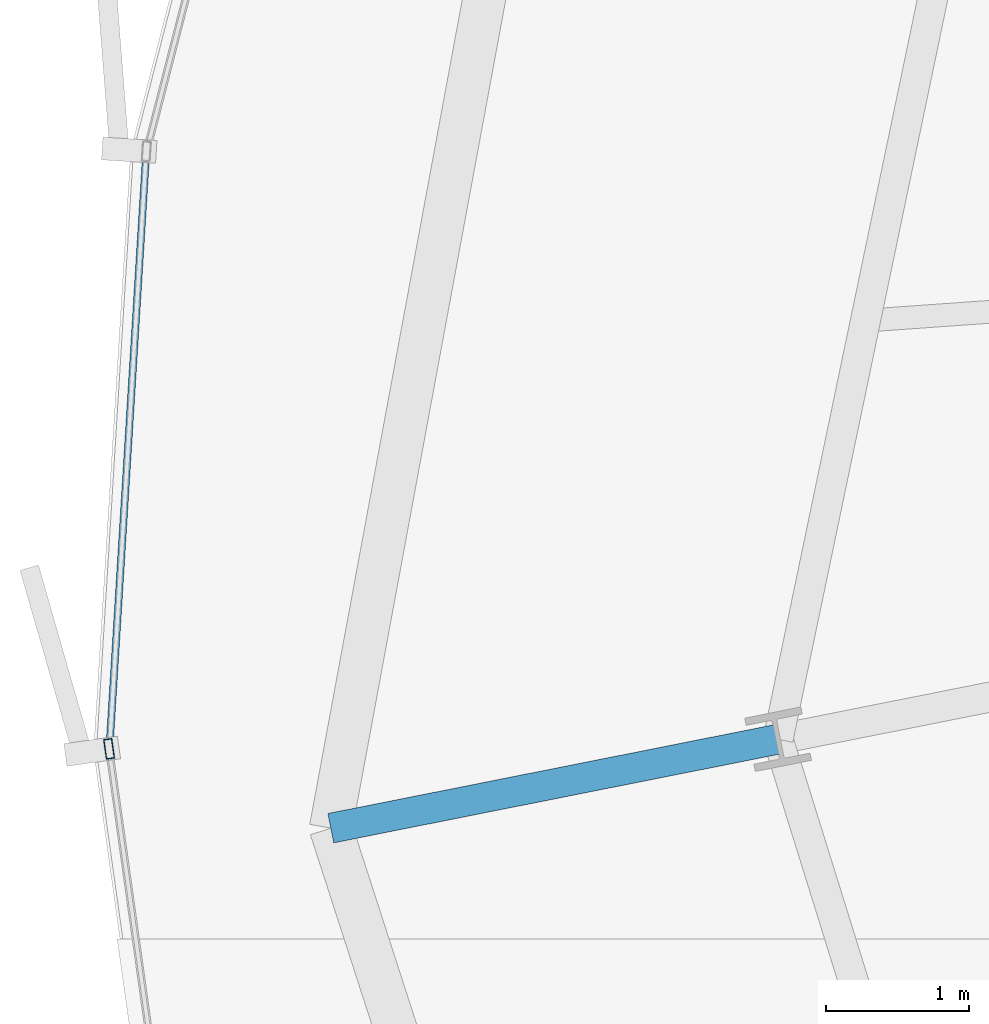
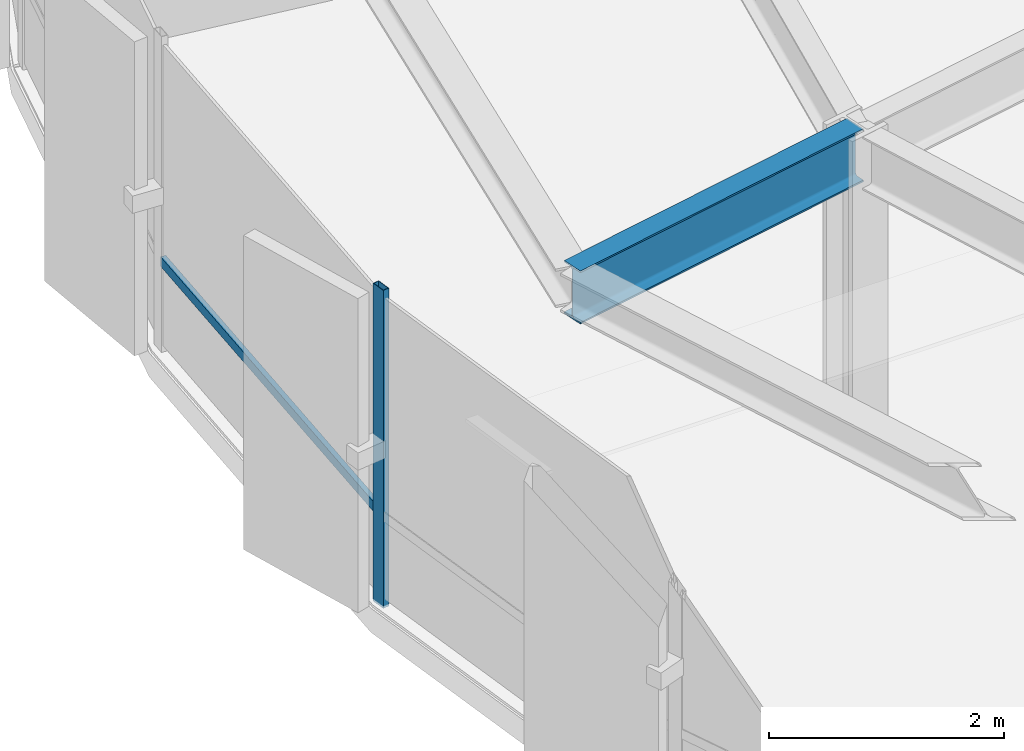
# One storey, part 8 of 35: 2 members, 1 beam, 1 element without a shape of its own.
"""IFC4 building model written with IfcOpenShell, lengths in metres."""

from ifc_helpers import new_model, si_unit, direction, frame, origin, origin_2d, place, context, subcontext, project, spatial, hollow_rectangle, i_section, extrude, source, transform, mapped, material, layer, layer_set, material_profile, profile_set, type_object, element, aggregate, save


model = new_model("IFC4")

# Units and contexts
model_context = context("Model", 3, precision=1e-05, world=origin(), true_north=direction((0.0, 1.0)))
body_context = subcontext(model_context, "Body", "Model", "MODEL_VIEW")
ifc_project = project(units=[si_unit("LENGTHUNIT", "METRE"), si_unit("AREAUNIT", "SQUARE_METRE"), si_unit("VOLUMEUNIT", "CUBIC_METRE"), si_unit("PLANEANGLEUNIT", "RADIAN"), si_unit("MASSUNIT", "GRAM", prefix="KILO"), si_unit("THERMODYNAMICTEMPERATUREUNIT", "KELVIN")], contexts=[model_context])

# Site, building, storey
site_placement = place(None, origin())
site = spatial("IfcSite", under=ifc_project, at=site_placement, CompositionType="ELEMENT")
building_placement = place(site_placement, origin())
building = spatial("IfcBuilding", under=site, at=building_placement, Name="Kethvar Cultural Tower", CompositionType="ELEMENT")
storey_placement = place(building_placement, frame((0.0, 0.0, 139.449951171875)))
storey = spatial("IfcBuildingStorey", under=building, at=storey_placement, Name="L35", CompositionType="ELEMENT", Elevation=139.449951171875)

# Beam
ifc_material_1 = material(Name="Steel S355J2", Category="steel")
ifc_material_profile_1 = material_profile(ifc_material_1, i_section(OverallWidth=0.2099609375, OverallDepth=0.550048828125, WebThickness=0.010986328125, FlangeThickness=0.01708984375, FilletRadius=0.02392578125, at=origin_2d()), Name="Steel S355J2 — IPE550")
ifc_profile_set_1 = profile_set([ifc_material_profile_1], Name="Steel S355J2 — IPE550")
beam_type = type_object("IfcBeamType", Name="BM-IPE550", PredefinedType="BEAM", material=ifc_profile_set_1)
shared_shape_1 = source(origin(), body_context, "Body", "SweptSolid", [
    extrude(i_section(OverallWidth=0.2099609375, OverallDepth=0.550048828125, WebThickness=0.010986328125, FlangeThickness=0.01708984375, FilletRadius=0.02392578125, at=origin_2d()), origin(), (0.0, 0.0, 1.0), 3.199951171875),
])
beam_placement = place(storey_placement, frame((24.185302734375, 23.3017578125, 3.02294921875), z_axis=(-0.980785550224, -0.195088965533, 0.0), x_axis=(0.195088965533, -0.980785550224, 0.0)))
element("IfcBeam", 1, at=beam_placement, inside=storey, type_object=beam_type, Name="L35 Perimeter Cantilever Beam RC-09", PredefinedType="BEAM", context=body_context, shape_type="MappedRepresentation", body=[
    mapped(shared_shape_1, transform((0.0, 0.0, 0.0), scale=1.0)),
])

# Curtain wall, members
ifc_material_2 = material(Name="Aluminium 6063-T6", Category="aluminium")
ifc_layer = layer(ifc_material_2, 0.179931640625, Name="Aluminium 6063-T6", Category="aluminium")
ifc_layer_set = layer_set([ifc_layer], Name="Aluminium 6063-T6 (180 mm)")
curtain_wall_type = type_object("IfcCurtainWallType", Name="CW-SYS-04-Z34", PredefinedType="NOTDEFINED", material=ifc_layer_set)
curtain_wall_placement = place(storey_placement, origin())
curtain_wall = element("IfcCurtainWall", 2, at=curtain_wall_placement, inside=storey, type_object=curtain_wall_type, Name="L35 Curtain Wall Run 03", PredefinedType="NOTDEFINED")
ifc_material_profile_2 = material_profile(ifc_material_2, hollow_rectangle(XDim=0.06005859375, YDim=0.139892578125, WallThickness=0.0048828125, at=origin_2d()), Name="Aluminium 6063-T6 — RHS140x60x5")
ifc_profile_set_2 = profile_set([ifc_material_profile_2], Name="Aluminium 6063-T6 — RHS140x60x5")
member_type_1 = type_object("IfcMemberType", Name="CW-SYS-04-Z34-MUL", PredefinedType="MULLION", material=ifc_profile_set_2)
shared_shape_2 = source(origin(), body_context, "Body", "SweptSolid", [
    extrude(hollow_rectangle(XDim=0.06005859375, YDim=0.139892578125, WallThickness=0.0048828125, at=origin_2d()), origin(), (0.0, 0.0, 1.0), 3.300048828125),
])
member_1_placement = place(storey_placement, frame((19.4912109375, 23.23388671875, 0.0), z_axis=(0.0, 0.0, 1.0), x_axis=(0.990268068742, 0.13917310096, 0.0)))
member_1 = element("IfcMember", 3, at=member_1_placement, type_object=member_type_1, Name="CW-L35-R03 Mullion 5", PredefinedType="MULLION", context=body_context, shape_type="MappedRepresentation", body=[
    mapped(shared_shape_2, transform((0.0, 0.0, 0.0), scale=1.0)),
])
ifc_material_profile_3 = material_profile(ifc_material_2, hollow_rectangle(XDim=0.050048828125, YDim=0.10009765625, WallThickness=0.00390625, at=origin_2d()), Name="Aluminium 6063-T6 — RHS100x50x4")
ifc_profile_set_3 = profile_set([ifc_material_profile_3], Name="Aluminium 6063-T6 — RHS100x50x4")
member_type_2 = type_object("IfcMemberType", Name="CW-SYS-04-Z34-TRN", PredefinedType="USERDEFINED", material=ifc_profile_set_3)
shared_shape_3 = source(origin(), body_context, "Body", "SweptSolid", [
    extrude(hollow_rectangle(XDim=0.050048828125, YDim=0.10009765625, WallThickness=0.00390625, at=origin_2d()), origin(), (0.0, 0.0, 1.0), 4.13720703125),
])
member_2_placement = place(storey_placement, frame((19.749755859375, 27.38427734375, 0.949951171875), z_axis=(-0.061606770769, -0.998100498845, 0.0), x_axis=(0.998100498845, -0.061606770769, 0.0)))
member_2 = element("IfcMember", 4, at=member_2_placement, type_object=member_type_2, Name="CW-L35-R03 Transom 4", ObjectType="TRANSOM", PredefinedType="USERDEFINED", context=body_context, shape_type="MappedRepresentation", body=[
    mapped(shared_shape_3, transform((0.0, 0.0, 0.0), scale=1.0)),
])
aggregate(curtain_wall, [member_1, member_2])

save(model, "model.ifc")
